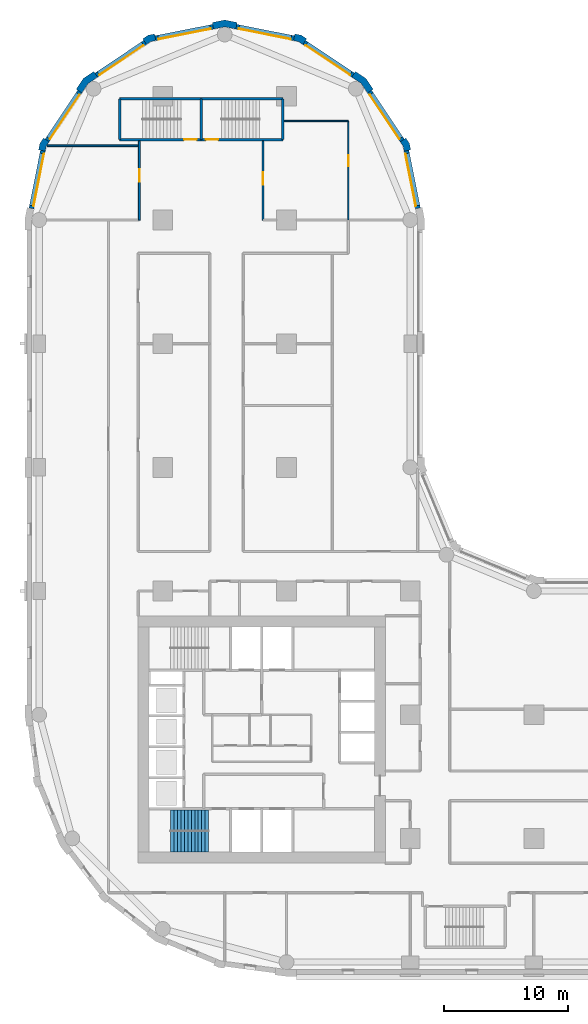
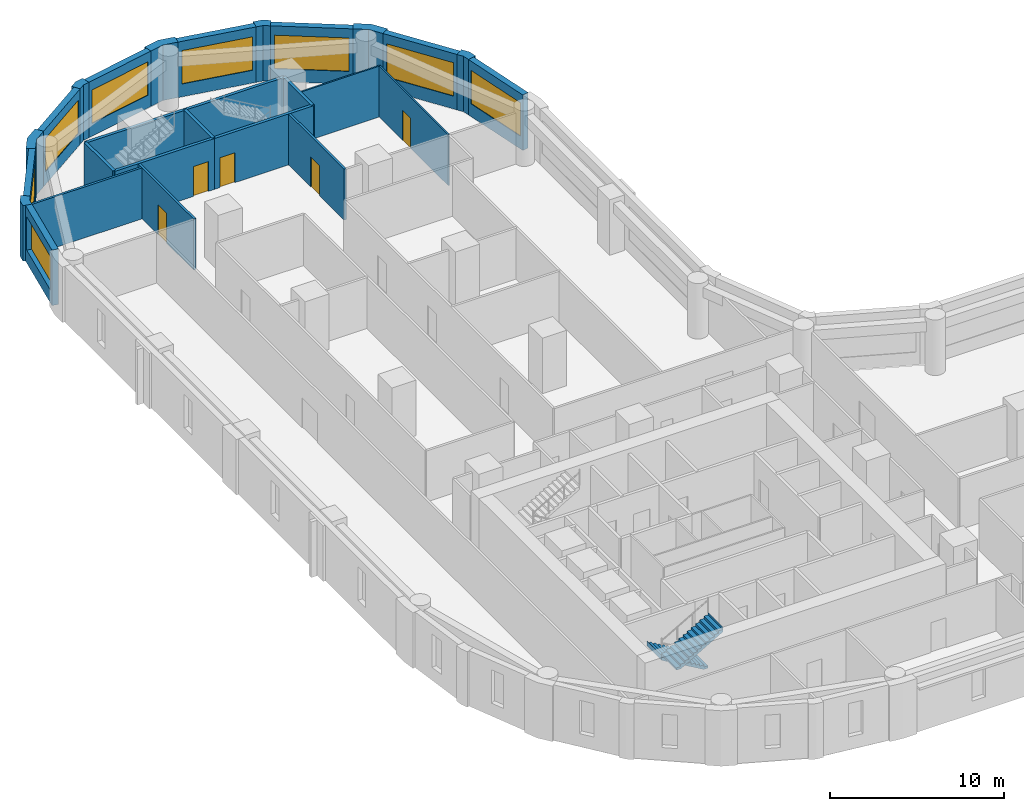
# One storey, part 7 of 10: 27 walls, 8 windows, 5 doors, 2 stair flights, 13 openings, 1 element without a shape of its own.
"""IFC4 building model written with IfcOpenShell, lengths in metres."""

from ifc_helpers import new_model, si_unit, direction, frame, frame_2d, origin, place, context, subcontext, project, spatial, polyline, rectangle, outline, extrude, material, layer, layer_set, type_object, element, fill, aggregate, save


model = new_model("IFC4")

# Units and contexts
model_context = context("Model", 3, precision=1e-05, world=origin(), true_north=direction((0.0, 1.0)))
body_context = subcontext(model_context, "Body", "Model", "MODEL_VIEW")
ifc_project = project(units=[si_unit("LENGTHUNIT", "METRE"), si_unit("AREAUNIT", "SQUARE_METRE"), si_unit("VOLUMEUNIT", "CUBIC_METRE"), si_unit("PLANEANGLEUNIT", "RADIAN"), si_unit("MASSUNIT", "GRAM", prefix="KILO")], contexts=[model_context])

# Site, building, storey
site_placement = place(None, origin())
site = spatial("IfcSite", under=ifc_project, at=site_placement, CompositionType="ELEMENT")
building_placement = place(site_placement, origin())
building = spatial("IfcBuilding", under=site, at=building_placement, Name="Qaws Garden Tower", CompositionType="ELEMENT")
storey_placement = place(building_placement, frame((0.0, 0.0, 105.60009765625)))
storey = spatial("IfcBuildingStorey", under=building, at=storey_placement, Name="L26", CompositionType="ELEMENT", Elevation=105.60009765625)

# Wall, opening, window
ifc_material_1 = material(Name="Clay facing brick masonry", Category="masonry")
ifc_layer_1 = layer(ifc_material_1, 0.39990234375)
ifc_layer_set_1 = layer_set([ifc_layer_1], Name="Clay facing brick masonry")
wall_type_1 = type_object("IfcWallType", Name="Brick infill wall 400", PredefinedType="SOLIDWALL", material=ifc_layer_set_1)
wall_1_placement = place(storey_placement, frame((30.628662109375, 60.940673828125, 0.0), z_axis=(0.0, 0.0, 1.0), x_axis=(-0.195098533057, 0.98078364709, 0.0)))
wall_1 = element("IfcWall", 1, at=wall_1_placement, inside=storey, type_object=wall_type_1, Name="E-L26-infill-15", PredefinedType="SOLIDWALL", context=body_context, shape_type="SweptSolid", body=[
    extrude(rectangle(XDim=4.752685546875, YDim=0.39990234375, at=frame_2d((2.37646484375, 0.0))), origin(), (0.0, 0.0, 1.0), 3.89990234375),
])
opening_1_placement = place(wall_1_placement, frame((0.226318359375, 0.0, 0.89990234375)))
opening_1 = element("IfcOpeningElement", 2, at=opening_1_placement, cuts=wall_1, Name="Opening W06", PredefinedType="OPENING", context=body_context, shape_type="SweptSolid", body=[
    extrude(rectangle(XDim=4.300048828125, YDim=2.35009765625, at=frame_2d((2.14990234375, 1.175048828125))), frame((0.0, 0.2099609375, 0.0), z_axis=(0.0, -1.0, 0.0), x_axis=(1.0, 0.0, 0.0)), (0.0, 0.0, 1.0), 0.419921875),
])
ifc_material_2 = material(Name="Aluminium framed window, clear glazing", Category="aluminium")
window_type = type_object("IfcWindowType", Name="Ribbon window 4300 x 2350", PartitioningType="DOUBLE_PANEL_VERTICAL", PredefinedType="WINDOW", material=ifc_material_2)
window_1_placement = place(opening_1_placement, origin())
window_1 = element("IfcWindow", 3, at=window_1_placement, inside=storey, type_object=window_type, Name="E-L26-window-15-0", OverallHeight=2.35009765625, OverallWidth=4.300048828125, PartitioningType="SINGLE_PANEL", PredefinedType="WINDOW", context=body_context, shape_type="SweptSolid", body=[
    extrude(rectangle(XDim=4.300048828125, YDim=2.35009765625, at=frame_2d((2.14990234375, 1.175048828125))), frame((0.0, 0.159912109375, 0.0), z_axis=(0.0, -1.0, 0.0), x_axis=(1.0, 0.0, 0.0)), (0.0, 0.0, 1.0), 0.06005859375),
])
fill(opening_1, window_1)

wall_2_placement = place(storey_placement, frame((29.356689453125, 66.43408203125, 0.0), z_axis=(0.0, 0.0, 1.0), x_axis=(-0.555541552266, 0.831488775454, 0.0)))
wall_2 = element("IfcWall", 4, at=wall_2_placement, inside=storey, type_object=wall_type_1, Name="E-L26-infill-16", PredefinedType="SOLIDWALL", context=body_context, shape_type="SweptSolid", body=[
    extrude(rectangle(XDim=4.752685546875, YDim=0.39990234375, at=frame_2d((2.37646484375, 0.0))), origin(), (0.0, 0.0, 1.0), 3.89990234375),
])
opening_2_placement = place(wall_2_placement, frame((0.226318359375, 0.0, 0.89990234375)))
opening_2 = element("IfcOpeningElement", 5, at=opening_2_placement, cuts=wall_2, Name="Opening W06", PredefinedType="OPENING", context=body_context, shape_type="SweptSolid", body=[
    extrude(rectangle(XDim=4.300048828125, YDim=2.35009765625, at=frame_2d((2.14990234375, 1.175048828125))), frame((0.0, 0.2099609375, 0.0), z_axis=(0.0, -1.0, 0.0), x_axis=(1.0, 0.0, 0.0)), (0.0, 0.0, 1.0), 0.419921875),
])
window_2_placement = place(opening_2_placement, origin())
window_2 = element("IfcWindow", 6, at=window_2_placement, inside=storey, type_object=window_type, Name="E-L26-window-16-0", OverallHeight=2.35009765625, OverallWidth=4.300048828125, PartitioningType="SINGLE_PANEL", PredefinedType="WINDOW", context=body_context, shape_type="SweptSolid", body=[
    extrude(rectangle(XDim=4.300048828125, YDim=2.35009765625, at=frame_2d((2.14990234375, 1.175048828125))), frame((0.0, 0.159912109375, 0.0), z_axis=(0.0, -1.0, 0.0), x_axis=(1.0, 0.0, 0.0)), (0.0, 0.0, 1.0), 0.06005859375),
])
fill(opening_2, window_2)

wall_3_placement = place(storey_placement, frame((25.385986328125, 71.71630859375, 0.0), z_axis=(0.0, 0.0, 1.0), x_axis=(-0.831488775454, 0.555541552266, 0.0)))
wall_3 = element("IfcWall", 7, at=wall_3_placement, inside=storey, type_object=wall_type_1, Name="E-L26-infill-17", PredefinedType="SOLIDWALL", context=body_context, shape_type="SweptSolid", body=[
    extrude(rectangle(XDim=4.752685546875, YDim=0.39990234375, at=frame_2d((2.37646484375, 0.0))), origin(), (0.0, 0.0, 1.0), 3.89990234375),
])
opening_3_placement = place(wall_3_placement, frame((0.226318359375, 0.0, 0.89990234375)))
opening_3 = element("IfcOpeningElement", 8, at=opening_3_placement, cuts=wall_3, Name="Opening W06", PredefinedType="OPENING", context=body_context, shape_type="SweptSolid", body=[
    extrude(rectangle(XDim=4.300048828125, YDim=2.35009765625, at=frame_2d((2.14990234375, 1.175048828125))), frame((0.0, 0.2099609375, 0.0), z_axis=(0.0, -1.0, 0.0), x_axis=(1.0, 0.0, 0.0)), (0.0, 0.0, 1.0), 0.419921875),
])
window_3_placement = place(opening_3_placement, origin())
window_3 = element("IfcWindow", 9, at=window_3_placement, inside=storey, type_object=window_type, Name="E-L26-window-17-0", OverallHeight=2.35009765625, OverallWidth=4.300048828125, PartitioningType="SINGLE_PANEL", PredefinedType="WINDOW", context=body_context, shape_type="SweptSolid", body=[
    extrude(rectangle(XDim=4.300048828125, YDim=2.35009765625, at=frame_2d((2.14990234375, 1.175048828125))), frame((0.0, 0.159912109375, 0.0), z_axis=(0.0, -1.0, 0.0), x_axis=(1.0, 0.0, 0.0)), (0.0, 0.0, 1.0), 0.06005859375),
])
fill(opening_3, window_3)

wall_4_placement = place(storey_placement, frame((20.60205078125, 74.701416015625, 0.0), z_axis=(0.0, 0.0, 1.0), x_axis=(-0.98078364709, 0.195098533057, 0.0)))
wall_4 = element("IfcWall", 10, at=wall_4_placement, inside=storey, type_object=wall_type_1, Name="E-L26-infill-18", PredefinedType="SOLIDWALL", context=body_context, shape_type="SweptSolid", body=[
    extrude(rectangle(XDim=4.752685546875, YDim=0.39990234375, at=frame_2d((2.37646484375, 0.0))), origin(), (0.0, 0.0, 1.0), 3.89990234375),
])
opening_4_placement = place(wall_4_placement, frame((0.226318359375, 0.0, 0.89990234375)))
opening_4 = element("IfcOpeningElement", 11, at=opening_4_placement, cuts=wall_4, Name="Opening W06", PredefinedType="OPENING", context=body_context, shape_type="SweptSolid", body=[
    extrude(rectangle(XDim=4.300048828125, YDim=2.35009765625, at=frame_2d((2.14990234375, 1.175048828125))), frame((0.0, 0.2099609375, 0.0), z_axis=(0.0, -1.0, 0.0), x_axis=(1.0, 0.0, 0.0)), (0.0, 0.0, 1.0), 0.419921875),
])
window_4_placement = place(opening_4_placement, origin())
window_4 = element("IfcWindow", 12, at=window_4_placement, inside=storey, type_object=window_type, Name="E-L26-window-18-0", OverallHeight=2.35009765625, OverallWidth=4.300048828125, PartitioningType="SINGLE_PANEL", PredefinedType="WINDOW", context=body_context, shape_type="SweptSolid", body=[
    extrude(rectangle(XDim=4.300048828125, YDim=2.35009765625, at=frame_2d((2.14990234375, 1.175048828125))), frame((0.0, 0.159912109375, 0.0), z_axis=(0.0, -1.0, 0.0), x_axis=(1.0, 0.0, 0.0)), (0.0, 0.0, 1.0), 0.06005859375),
])
fill(opening_4, window_4)

wall_5_placement = place(storey_placement, frame((14.059326171875, 75.628662109375, 0.0), z_axis=(0.0, 0.0, 1.0), x_axis=(-0.98078364709, -0.195098533057, 0.0)))
wall_5 = element("IfcWall", 13, at=wall_5_placement, inside=storey, type_object=wall_type_1, Name="E-L26-infill-19", PredefinedType="SOLIDWALL", context=body_context, shape_type="SweptSolid", body=[
    extrude(rectangle(XDim=4.752685546875, YDim=0.39990234375, at=frame_2d((2.37646484375, 0.0))), origin(), (0.0, 0.0, 1.0), 3.89990234375),
])
opening_5_placement = place(wall_5_placement, frame((0.226318359375, 0.0, 0.89990234375)))
opening_5 = element("IfcOpeningElement", 14, at=opening_5_placement, cuts=wall_5, Name="Opening W06", PredefinedType="OPENING", context=body_context, shape_type="SweptSolid", body=[
    extrude(rectangle(XDim=4.300048828125, YDim=2.35009765625, at=frame_2d((2.14990234375, 1.175048828125))), frame((0.0, 0.2099609375, 0.0), z_axis=(0.0, -1.0, 0.0), x_axis=(1.0, 0.0, 0.0)), (0.0, 0.0, 1.0), 0.419921875),
])
window_5_placement = place(opening_5_placement, origin())
window_5 = element("IfcWindow", 15, at=window_5_placement, inside=storey, type_object=window_type, Name="E-L26-window-19-0", OverallHeight=2.35009765625, OverallWidth=4.300048828125, PartitioningType="SINGLE_PANEL", PredefinedType="WINDOW", context=body_context, shape_type="SweptSolid", body=[
    extrude(rectangle(XDim=4.300048828125, YDim=2.35009765625, at=frame_2d((2.14990234375, 1.175048828125))), frame((0.0, 0.159912109375, 0.0), z_axis=(0.0, -1.0, 0.0), x_axis=(1.0, 0.0, 0.0)), (0.0, 0.0, 1.0), 0.06005859375),
])
fill(opening_5, window_5)

wall_6_placement = place(storey_placement, frame((8.56591796875, 74.356689453125, 0.0), z_axis=(0.0, 0.0, 1.0), x_axis=(-0.831488775454, -0.555541552266, 0.0)))
wall_6 = element("IfcWall", 16, at=wall_6_placement, inside=storey, type_object=wall_type_1, Name="E-L26-infill-20", PredefinedType="SOLIDWALL", context=body_context, shape_type="SweptSolid", body=[
    extrude(rectangle(XDim=4.752685546875, YDim=0.39990234375, at=frame_2d((2.37646484375, 0.0))), origin(), (0.0, 0.0, 1.0), 3.89990234375),
])
opening_6_placement = place(wall_6_placement, frame((0.226318359375, 0.0, 0.89990234375)))
opening_6 = element("IfcOpeningElement", 17, at=opening_6_placement, cuts=wall_6, Name="Opening W06", PredefinedType="OPENING", context=body_context, shape_type="SweptSolid", body=[
    extrude(rectangle(XDim=4.300048828125, YDim=2.35009765625, at=frame_2d((2.14990234375, 1.175048828125))), frame((0.0, 0.2099609375, 0.0), z_axis=(0.0, -1.0, 0.0), x_axis=(1.0, 0.0, 0.0)), (0.0, 0.0, 1.0), 0.419921875),
])
window_6_placement = place(opening_6_placement, origin())
window_6 = element("IfcWindow", 18, at=window_6_placement, inside=storey, type_object=window_type, Name="E-L26-window-20-0", OverallHeight=2.35009765625, OverallWidth=4.300048828125, PartitioningType="SINGLE_PANEL", PredefinedType="WINDOW", context=body_context, shape_type="SweptSolid", body=[
    extrude(rectangle(XDim=4.300048828125, YDim=2.35009765625, at=frame_2d((2.14990234375, 1.175048828125))), frame((0.0, 0.159912109375, 0.0), z_axis=(0.0, -1.0, 0.0), x_axis=(1.0, 0.0, 0.0)), (0.0, 0.0, 1.0), 0.06005859375),
])
fill(opening_6, window_6)

wall_7_placement = place(storey_placement, frame((3.28369140625, 70.385986328125, 0.0), z_axis=(0.0, 0.0, 1.0), x_axis=(-0.555541552266, -0.831488775454, 0.0)))
wall_7 = element("IfcWall", 19, at=wall_7_placement, inside=storey, type_object=wall_type_1, Name="E-L26-infill-21", PredefinedType="SOLIDWALL", context=body_context, shape_type="SweptSolid", body=[
    extrude(rectangle(XDim=4.752685546875, YDim=0.39990234375, at=frame_2d((2.37646484375, 0.0))), origin(), (0.0, 0.0, 1.0), 3.89990234375),
])
opening_7_placement = place(wall_7_placement, frame((0.226318359375, 0.0, 0.89990234375)))
opening_7 = element("IfcOpeningElement", 20, at=opening_7_placement, cuts=wall_7, Name="Opening W06", PredefinedType="OPENING", context=body_context, shape_type="SweptSolid", body=[
    extrude(rectangle(XDim=4.300048828125, YDim=2.35009765625, at=frame_2d((2.14990234375, 1.175048828125))), frame((0.0, 0.2099609375, 0.0), z_axis=(0.0, -1.0, 0.0), x_axis=(1.0, 0.0, 0.0)), (0.0, 0.0, 1.0), 0.419921875),
])
window_7_placement = place(opening_7_placement, origin())
window_7 = element("IfcWindow", 21, at=window_7_placement, inside=storey, type_object=window_type, Name="E-L26-window-21-0", OverallHeight=2.35009765625, OverallWidth=4.300048828125, PartitioningType="SINGLE_PANEL", PredefinedType="WINDOW", context=body_context, shape_type="SweptSolid", body=[
    extrude(rectangle(XDim=4.300048828125, YDim=2.35009765625, at=frame_2d((2.14990234375, 1.175048828125))), frame((0.0, 0.159912109375, 0.0), z_axis=(0.0, -1.0, 0.0), x_axis=(1.0, 0.0, 0.0)), (0.0, 0.0, 1.0), 0.06005859375),
])
fill(opening_7, window_7)

wall_8_placement = place(storey_placement, frame((0.298583984375, 65.60205078125, 0.0), z_axis=(0.0, 0.0, 1.0), x_axis=(-0.195098533057, -0.98078364709, 0.0)))
wall_8 = element("IfcWall", 22, at=wall_8_placement, inside=storey, type_object=wall_type_1, Name="E-L26-infill-22", PredefinedType="SOLIDWALL", context=body_context, shape_type="SweptSolid", body=[
    extrude(rectangle(XDim=4.752685546875, YDim=0.39990234375, at=frame_2d((2.37646484375, 0.0))), origin(), (0.0, 0.0, 1.0), 3.89990234375),
])
opening_8_placement = place(wall_8_placement, frame((0.226318359375, 0.0, 0.89990234375)))
opening_8 = element("IfcOpeningElement", 23, at=opening_8_placement, cuts=wall_8, Name="Opening W06", PredefinedType="OPENING", context=body_context, shape_type="SweptSolid", body=[
    extrude(rectangle(XDim=4.300048828125, YDim=2.35009765625, at=frame_2d((2.14990234375, 1.175048828125))), frame((0.0, 0.2099609375, 0.0), z_axis=(0.0, -1.0, 0.0), x_axis=(1.0, 0.0, 0.0)), (0.0, 0.0, 1.0), 0.419921875),
])
window_8_placement = place(opening_8_placement, origin())
window_8 = element("IfcWindow", 24, at=window_8_placement, inside=storey, type_object=window_type, Name="E-L26-window-22-0", OverallHeight=2.35009765625, OverallWidth=4.300048828125, PartitioningType="SINGLE_PANEL", PredefinedType="WINDOW", context=body_context, shape_type="SweptSolid", body=[
    extrude(rectangle(XDim=4.300048828125, YDim=2.35009765625, at=frame_2d((2.14990234375, 1.175048828125))), frame((0.0, 0.159912109375, 0.0), z_axis=(0.0, -1.0, 0.0), x_axis=(1.0, 0.0, 0.0)), (0.0, 0.0, 1.0), 0.06005859375),
])
fill(opening_8, window_8)

# Walls
ifc_material_3 = material(Name="Clay facing brick masonry", Category="masonry")
ifc_layer_2 = layer(ifc_material_3, 0.550048828125)
ifc_layer_set_2 = layer_set([ifc_layer_2], Name="Clay facing brick masonry")
wall_type_2 = type_object("IfcWallType", Name="Brick kink pier 550 x 600", PredefinedType="SOLIDWALL", material=ifc_layer_set_2)
placement = place(storey_placement, origin())
element("IfcWall", 25, at=placement, inside=storey, type_object=wall_type_2, Name="E-L26-pier-16", PredefinedType="SOLIDWALL", context=body_context, shape_type="SweptSolid", body=[
    extrude(outline(polyline([(29.8974609375, 65.64111328125), (30.044677734375, 65.67041015625), (29.94140625, 66.18896484375), (29.647705078125, 66.628662109375), (29.52294921875, 66.545166015625), (29.1904296875, 66.322998046875), (29.42333984375, 65.974365234375), (29.505126953125, 65.56298828125), (29.8974609375, 65.64111328125)])), origin(), (0.0, 0.0, 1.0), 3.89990234375),
])
element("IfcWall", 26, at=placement, inside=storey, type_object=wall_type_2, Name="E-L26-pier-18", PredefinedType="SOLIDWALL", context=body_context, shape_type="SweptSolid", body=[
    extrude(outline(polyline([(21.545166015625, 74.52294921875), (21.628662109375, 74.647705078125), (21.18896484375, 74.94140625), (20.67041015625, 75.044677734375), (20.64111328125, 74.8974609375), (20.56298828125, 74.505126953125), (20.974365234375, 74.42333984375), (21.322998046875, 74.1904296875), (21.545166015625, 74.52294921875)])), origin(), (0.0, 0.0, 1.0), 3.89990234375),
])
element("IfcWall", 27, at=placement, inside=storey, type_object=wall_type_2, Name="E-L26-pier-20", PredefinedType="SOLIDWALL", context=body_context, shape_type="SweptSolid", body=[
    extrude(outline(polyline([(9.35888671875, 74.8974609375), (9.32958984375, 75.044677734375), (8.81103515625, 74.94140625), (8.371337890625, 74.647705078125), (8.454833984375, 74.52294921875), (8.677001953125, 74.1904296875), (9.025634765625, 74.42333984375), (9.43701171875, 74.505126953125), (9.35888671875, 74.8974609375)])), origin(), (0.0, 0.0, 1.0), 3.89990234375),
])
element("IfcWall", 28, at=placement, inside=storey, type_object=wall_type_2, Name="E-L26-pier-22", PredefinedType="SOLIDWALL", context=body_context, shape_type="SweptSolid", body=[
    extrude(outline(polyline([(0.47705078125, 66.545166015625), (0.352294921875, 66.628662109375), (0.05859375, 66.18896484375), (-0.044677734375, 65.67041015625), (0.1025390625, 65.64111328125), (0.494873046875, 65.56298828125), (0.57666015625, 65.974365234375), (0.8095703125, 66.322998046875), (0.47705078125, 66.545166015625)])), origin(), (0.0, 0.0, 1.0), 3.89990234375),
])
ifc_material_4 = material(Name="Clay facing brick masonry", Category="masonry")
ifc_layer_3 = layer(ifc_material_4, 0.550048828125)
ifc_layer_set_3 = layer_set([ifc_layer_3], Name="Clay facing brick masonry")
wall_type_3 = type_object("IfcWallType", Name="Brick pier 550 x 1600", PredefinedType="SOLIDWALL", material=ifc_layer_set_3)
element("IfcWall", 29, at=placement, inside=storey, type_object=wall_type_3, Name="E-L26-pier-17", PredefinedType="SOLIDWALL", context=body_context, shape_type="SweptSolid", body=[
    extrude(outline(polyline([(26.882568359375, 70.4970703125), (27.00732421875, 70.580322265625), (26.435791015625, 71.435791015625), (25.580322265625, 72.00732421875), (25.4970703125, 71.882568359375), (25.274658203125, 71.550048828125), (26.0390625, 71.0390625), (26.550048828125, 70.274658203125), (26.882568359375, 70.4970703125)])), origin(), (0.0, 0.0, 1.0), 3.89990234375),
])
element("IfcWall", 30, at=placement, inside=storey, type_object=wall_type_3, Name="E-L26-pier-19", PredefinedType="SOLIDWALL", context=body_context, shape_type="SweptSolid", body=[
    extrude(outline(polyline([(15.979736328125, 75.82470703125), (16.009033203125, 75.971923828125), (15.0, 76.172607421875), (13.990966796875, 75.971923828125), (14.020263671875, 75.82470703125), (14.098388671875, 75.432373046875), (15.0, 75.61181640625), (15.901611328125, 75.432373046875), (15.979736328125, 75.82470703125)])), origin(), (0.0, 0.0, 1.0), 3.89990234375),
])
element("IfcWall", 31, at=placement, inside=storey, type_object=wall_type_3, Name="E-L26-pier-21", PredefinedType="SOLIDWALL", context=body_context, shape_type="SweptSolid", body=[
    extrude(outline(polyline([(4.5029296875, 71.882568359375), (4.419677734375, 72.00732421875), (3.564208984375, 71.435791015625), (2.99267578125, 70.580322265625), (3.117431640625, 70.4970703125), (3.449951171875, 70.274658203125), (3.9609375, 71.0390625), (4.725341796875, 71.550048828125), (4.5029296875, 71.882568359375)])), origin(), (0.0, 0.0, 1.0), 3.89990234375),
])

# Wall, opening, door
ifc_material_5 = material(Name="Concrete C80", Category="concrete")
ifc_layer_4 = layer(ifc_material_5, 0.199951171875)
ifc_layer_set_4 = layer_set([ifc_layer_4], Name="Concrete C80")
wall_type_4 = type_object("IfcWallType", Name="Core shaft wall 200 C80", PredefinedType="SHEAR", material=ifc_layer_set_4)
wall_16_placement = place(storey_placement, frame((6.5, 66.5, 0.0), z_axis=(0.0, 0.0, 1.0), x_axis=(1.0, 0.0, 0.0)))
wall_16 = element("IfcWall", 32, at=wall_16_placement, inside=storey, type_object=wall_type_4, Name="Shaft wall", PredefinedType="SHEAR", context=body_context, shape_type="SweptSolid", body=[
    extrude(rectangle(XDim=6.60009765625, YDim=0.199951171875, at=frame_2d((3.300048828125, 0.0))), origin(), (0.0, 0.0, 1.0), 3.579833984375),
])
opening_9_placement = place(wall_16_placement, frame((5.22509765625, 0.0, 0.0)))
opening_9 = element("IfcOpeningElement", 33, at=opening_9_placement, cuts=wall_16, Name="Opening SD13", PredefinedType="OPENING", context=body_context, shape_type="SweptSolid", body=[
    extrude(rectangle(XDim=1.0, YDim=2.10009765625, at=frame_2d((0.5, 1.050048828125))), frame((0.0, 0.10986328125, 0.0), z_axis=(0.0, -1.0, 0.0), x_axis=(1.0, 0.0, 0.0)), (0.0, 0.0, 1.0), 0.219970703125),
])
ifc_material_6 = material(Name="Steel S235", Category="steel")
door_type_1 = type_object("IfcDoorType", Name="Stair door 1000x2100", OperationType="SINGLE_SWING_RIGHT", PredefinedType="DOOR", material=ifc_material_6)
door_1_placement = place(opening_9_placement, origin())
door_1 = element("IfcDoor", 34, at=door_1_placement, inside=storey, type_object=door_type_1, Name="Stair 6 door", OperationType="SINGLE_SWING_RIGHT", OverallHeight=2.10009765625, OverallWidth=1.0, PredefinedType="DOOR", context=body_context, shape_type="SweptSolid", body=[
    extrude(rectangle(XDim=1.0, YDim=2.10009765625, at=frame_2d((0.5, 1.050048828125))), frame((0.0, 0.02490234375, 0.0), z_axis=(0.0, -1.0, 0.0), x_axis=(1.0, 0.0, 0.0)), (0.0, 0.0, 1.0), 0.050048828125),
])
fill(opening_9, door_1)

wall_17_placement = place(storey_placement, frame((13.10009765625, 66.5, 0.0), z_axis=(0.0, 0.0, 1.0), x_axis=(1.0, 0.0, 0.0)))
wall_17 = element("IfcWall", 35, at=wall_17_placement, inside=storey, type_object=wall_type_4, Name="Shaft wall", PredefinedType="SHEAR", context=body_context, shape_type="SweptSolid", body=[
    extrude(rectangle(XDim=6.599853515625, YDim=0.199951171875, at=frame_2d((3.2998046875, 0.0))), origin(), (0.0, 0.0, 1.0), 3.579833984375),
])
opening_10_placement = place(wall_17_placement, frame((0.375, 0.0, 0.0)))
opening_10 = element("IfcOpeningElement", 36, at=opening_10_placement, cuts=wall_17, Name="Opening SD14", PredefinedType="OPENING", context=body_context, shape_type="SweptSolid", body=[
    extrude(rectangle(XDim=1.0, YDim=2.10009765625, at=frame_2d((0.5, 1.050048828125))), frame((0.0, 0.10986328125, 0.0), z_axis=(0.0, -1.0, 0.0), x_axis=(1.0, 0.0, 0.0)), (0.0, 0.0, 1.0), 0.219970703125),
])
door_2_placement = place(opening_10_placement, origin())
door_2 = element("IfcDoor", 37, at=door_2_placement, inside=storey, type_object=door_type_1, Name="Stair 7 door", OperationType="SINGLE_SWING_LEFT", OverallHeight=2.10009765625, OverallWidth=1.0, PredefinedType="DOOR", context=body_context, shape_type="SweptSolid", body=[
    extrude(rectangle(XDim=1.0, YDim=2.10009765625, at=frame_2d((0.5, 1.050048828125))), frame((0.0, 0.02490234375, 0.0), z_axis=(0.0, -1.0, 0.0), x_axis=(1.0, 0.0, 0.0)), (0.0, 0.0, 1.0), 0.050048828125),
])
fill(opening_10, door_2)

# Walls
wall_18_placement = place(storey_placement, frame((6.5, 69.800048828125, 0.0), z_axis=(0.0, 0.0, 1.0), x_axis=(1.0, 0.0, 0.0)))
element("IfcWall", 38, at=wall_18_placement, inside=storey, type_object=wall_type_4, Name="Shaft wall", PredefinedType="SHEAR", context=body_context, shape_type="SweptSolid", body=[
    extrude(rectangle(XDim=6.60009765625, YDim=0.199951171875, at=frame_2d((3.300048828125, 0.0))), origin(), (0.0, 0.0, 1.0), 3.579833984375),
])
wall_19_placement = place(storey_placement, frame((13.10009765625, 69.800048828125, 0.0), z_axis=(0.0, 0.0, 1.0), x_axis=(1.0, 0.0, 0.0)))
element("IfcWall", 39, at=wall_19_placement, inside=storey, type_object=wall_type_4, Name="Shaft wall", PredefinedType="SHEAR", context=body_context, shape_type="SweptSolid", body=[
    extrude(rectangle(XDim=6.599853515625, YDim=0.199951171875, at=frame_2d((3.2998046875, 0.0))), origin(), (0.0, 0.0, 1.0), 3.579833984375),
])
for number, where, z_axis, x_axis, name in (
    (40, (6.5, 66.5, 0.0), (0.0, 0.0, 1.0), (0.0, 1.0, 0.0), "Shaft wall"),
    (41, (13.10009765625, 66.5, 0.0), (0.0, 0.0, 1.0), (0.0, 1.0, 0.0), "Shaft wall"),
    (42, (19.699951171875, 66.5, 0.0), (0.0, 0.0, 1.0), (0.0, 1.0, 0.0), "Shaft wall"),
):
    element("IfcWall", number, at=place(storey_placement, frame(where, z_axis=z_axis, x_axis=x_axis)), inside=storey, type_object=wall_type_4, Name=name, PredefinedType="SHEAR", context=body_context, shape_type="SweptSolid", body=[
        extrude(rectangle(XDim=3.300048828125, YDim=0.199951171875, at=frame_2d((1.64990234375, 0.0))), origin(), (0.0, 0.0, 1.0), 3.579833984375),
    ])

# Wall, opening, door
ifc_material_7 = material(Name="Gypsum board partition")
ifc_layer_5 = layer(ifc_material_7, 0.10009765625)
ifc_layer_set_5 = layer_set([ifc_layer_5], Name="Gypsum board partition")
wall_type_5 = type_object("IfcWallType", Name="PARTITION 100", PredefinedType="PARTITIONING", material=ifc_layer_set_5)
wall_20_placement = place(storey_placement, frame((25.0, 60.0, 0.0), z_axis=(0.0, 0.0, 1.0), x_axis=(0.0, 1.0, 0.0)))
wall_20 = element("IfcWall", 43, at=wall_20_placement, inside=storey, type_object=wall_type_5, Name="O-L26-wall-001", PredefinedType="PARTITIONING", context=body_context, shape_type="SweptSolid", body=[
    extrude(rectangle(XDim=8.0, YDim=0.10009765625, at=frame_2d((4.0, 0.0))), origin(), (0.0, 0.0, 1.0), 3.579833984375),
])
opening_11_placement = place(wall_20_placement, frame((4.35009765625, 0.0, 0.0)))
opening_11 = element("IfcOpeningElement", 44, at=opening_11_placement, cuts=wall_20, Name="Opening A928", PredefinedType="OPENING", context=body_context, shape_type="SweptSolid", body=[
    extrude(rectangle(XDim=0.89990234375, YDim=2.10009765625, at=frame_2d((0.449951171875, 1.050048828125))), frame((0.0, 0.06005859375, 0.0), z_axis=(0.0, -1.0, 0.0), x_axis=(1.0, 0.0, 0.0)), (0.0, 0.0, 1.0), 0.1201171875),
])
ifc_material_8 = material(Name="Timber door leaf", Category="wood")
door_type_2 = type_object("IfcDoorType", Name="OFFICE DOOR 900 X 2100", OperationType="SINGLE_SWING_LEFT", PredefinedType="DOOR", material=ifc_material_8)
door_3_placement = place(opening_11_placement, origin())
door_3 = element("IfcDoor", 45, at=door_3_placement, inside=storey, type_object=door_type_2, Name="O-L26-door-028", OperationType="SINGLE_SWING_LEFT", OverallHeight=2.10009765625, OverallWidth=0.89990234375, PredefinedType="DOOR", context=body_context, shape_type="SweptSolid", body=[
    extrude(rectangle(XDim=0.89990234375, YDim=2.10009765625, at=frame_2d((0.449951171875, 1.050048828125))), frame((0.0, 0.02490234375, 0.0), z_axis=(0.0, -1.0, 0.0), x_axis=(1.0, 0.0, 0.0)), (0.0, 0.0, 1.0), 0.050048828125),
])
fill(opening_11, door_3)

# Wall
wall_21_placement = place(storey_placement, frame((19.800048828125, 68.0, 0.0), z_axis=(0.0, 0.0, 1.0), x_axis=(1.0, 0.0, 0.0)))
element("IfcWall", 46, at=wall_21_placement, inside=storey, type_object=wall_type_5, Name="O-L26-wall-004", PredefinedType="PARTITIONING", context=body_context, shape_type="SweptSolid", body=[
    extrude(rectangle(XDim=5.199951171875, YDim=0.10009765625, at=frame_2d((2.60009765625, 0.0))), origin(), (0.0, 0.0, 1.0), 3.579833984375),
])

# Wall, opening, door
ifc_material_9 = material(Name="Gypsum board partition")
ifc_layer_6 = layer(ifc_material_9, 0.14990234375)
ifc_layer_set_6 = layer_set([ifc_layer_6], Name="Gypsum board partition")
wall_type_6 = type_object("IfcWallType", Name="PARTITION 150 EI 60", PredefinedType="PARTITIONING", material=ifc_layer_set_6)
wall_22_placement = place(storey_placement, frame((8.10009765625, 60.0, 0.0), z_axis=(0.0, 0.0, 1.0), x_axis=(0.0, 1.0, 0.0)))
wall_22 = element("IfcWall", 47, at=wall_22_placement, inside=storey, type_object=wall_type_6, Name="O-L26-wall-008", PredefinedType="PARTITIONING", context=body_context, shape_type="SweptSolid", body=[
    extrude(rectangle(XDim=6.39990234375, YDim=0.14990234375, at=frame_2d((3.199951171875, 0.0))), origin(), (0.0, 0.0, 1.0), 3.579833984375),
])
opening_12_placement = place(wall_22_placement, frame((3.10009765625, 0.0, 0.0)))
opening_12 = element("IfcOpeningElement", 48, at=opening_12_placement, cuts=wall_22, Name="Opening A917", PredefinedType="OPENING", context=body_context, shape_type="SweptSolid", body=[
    extrude(rectangle(XDim=1.0, YDim=2.10009765625, at=frame_2d((0.5, 1.050048828125))), frame((0.0, 0.0849609375, 0.0), z_axis=(0.0, -1.0, 0.0), x_axis=(1.0, 0.0, 0.0)), (0.0, 0.0, 1.0), 0.169921875),
])
ifc_material_10 = material(Name="Timber door leaf", Category="wood")
door_type_3 = type_object("IfcDoorType", Name="TENANCY ENTRANCE DOOR 1000 X 2100", OperationType="SINGLE_SWING_LEFT", PredefinedType="DOOR", material=ifc_material_10)
door_4_placement = place(opening_12_placement, origin())
door_4 = element("IfcDoor", 49, at=door_4_placement, inside=storey, type_object=door_type_3, Name="O-L26-door-017", OperationType="SINGLE_SWING_LEFT", OverallHeight=2.10009765625, OverallWidth=1.0, PredefinedType="DOOR", context=body_context, shape_type="SweptSolid", body=[
    extrude(rectangle(XDim=1.0, YDim=2.10009765625, at=frame_2d((0.5, 1.050048828125))), frame((0.0, 0.02490234375, 0.0), z_axis=(0.0, -1.0, 0.0), x_axis=(1.0, 0.0, 0.0)), (0.0, 0.0, 1.0), 0.050048828125),
])
fill(opening_12, door_4)

wall_23_placement = place(storey_placement, frame((18.10009765625, 60.0, 0.0), z_axis=(0.0, 0.0, 1.0), x_axis=(0.0, 1.0, 0.0)))
wall_23 = element("IfcWall", 50, at=wall_23_placement, inside=storey, type_object=wall_type_6, Name="O-L26-wall-014", PredefinedType="PARTITIONING", context=body_context, shape_type="SweptSolid", body=[
    extrude(rectangle(XDim=6.39990234375, YDim=0.14990234375, at=frame_2d((3.199951171875, 0.0))), origin(), (0.0, 0.0, 1.0), 3.579833984375),
])
opening_13_placement = place(wall_23_placement, frame((2.85009765625, 0.0, 0.0)))
opening_13 = element("IfcOpeningElement", 51, at=opening_13_placement, cuts=wall_23, Name="Opening A918", PredefinedType="OPENING", context=body_context, shape_type="SweptSolid", body=[
    extrude(rectangle(XDim=1.0, YDim=2.10009765625, at=frame_2d((0.5, 1.050048828125))), frame((0.0, 0.0849609375, 0.0), z_axis=(0.0, -1.0, 0.0), x_axis=(1.0, 0.0, 0.0)), (0.0, 0.0, 1.0), 0.169921875),
])
door_5_placement = place(opening_13_placement, frame((1.0, 0.0, 0.0), z_axis=(0.0, 0.0, 1.0), x_axis=(-1.0, 0.0, 0.0)))
door_5 = element("IfcDoor", 52, at=door_5_placement, inside=storey, type_object=door_type_3, Name="O-L26-door-018", OperationType="SINGLE_SWING_RIGHT", OverallHeight=2.10009765625, OverallWidth=1.0, PredefinedType="DOOR", context=body_context, shape_type="SweptSolid", body=[
    extrude(rectangle(XDim=1.0, YDim=2.10009765625, at=frame_2d((0.5, 1.050048828125))), frame((0.0, 0.02490234375, 0.0), z_axis=(0.0, -1.0, 0.0), x_axis=(1.0, 0.0, 0.0)), (0.0, 0.0, 1.0), 0.050048828125),
])
fill(opening_13, door_5)

# Wall
wall_24_placement = place(storey_placement, frame((0.643798828125, 66.0, 0.0), z_axis=(0.0, 0.0, 1.0), x_axis=(1.0, 0.0, 0.0)))
element("IfcWall", 53, at=wall_24_placement, inside=storey, type_object=wall_type_6, Name="O-L26-wall-065", PredefinedType="PARTITIONING", context=body_context, shape_type="SweptSolid", body=[
    extrude(rectangle(XDim=7.456298828125, YDim=0.14990234375, at=frame_2d((3.72802734375, 0.0))), origin(), (0.0, 0.0, 1.0), 3.579833984375),
])

# Stair, stair flights
ifc_material_11 = material(Name="Concrete C40", Category="concrete")
stair_type = type_object("IfcStairType", Name="Exit stair 1500", PredefinedType="HALF_TURN_STAIR", material=ifc_material_11)
stair = element("IfcStair", 54, at=placement, inside=storey, type_object=stair_type, Name="Stair 1", PredefinedType="HALF_TURN_STAIR")
ifc_material_12 = material(Name="Concrete C40", Category="concrete")
stair_flight_type = type_object("IfcStairFlightType", Name="Stair flight 1500", PredefinedType="STRAIGHT", material=ifc_material_12)
stair_flight_1_placement = place(storey_placement, frame((13.699951171875, 11.449951171875, 0.0), z_axis=(0.0, 0.0, 1.0), x_axis=(-1.0, 0.0, 0.0)))
stair_flight_1 = element("IfcStairFlight", 55, at=stair_flight_1_placement, type_object=stair_flight_type, Name="ST1 flight 1", NumberOfRisers=12, NumberOfTreads=11, PredefinedType="STRAIGHT", RiserHeight=0.1625, TreadLength=0.28, context=body_context, shape_type="SweptSolid", body=[
    extrude(outline(polyline([(-0.0029296875, 0.0), (-0.0029296875, 0.16259765625), (0.0, 0.16259765625), (0.280029296875, 0.16259765625), (0.280029296875, 0.324951171875), (0.56005859375, 0.324951171875), (0.56005859375, 0.487548828125), (0.840087890625, 0.487548828125), (0.840087890625, 0.64990234375), (1.1201171875, 0.64990234375), (1.1201171875, 0.8125), (1.39990234375, 0.8125), (1.39990234375, 0.97509765625), (1.679931640625, 0.97509765625), (1.679931640625, 1.137451171875), (1.9599609375, 1.137451171875), (1.9599609375, 1.300048828125), (2.239990234375, 1.300048828125), (2.239990234375, 1.46240234375), (2.52001953125, 1.46240234375), (2.52001953125, 1.625), (2.800048828125, 1.625), (2.800048828125, 1.78759765625), (3.080078125, 1.78759765625), (3.080078125, 1.949951171875), (3.0830078125, 1.949951171875), (3.0830078125, 1.6142578125), (3.080078125, 1.6142578125), (0.298583984375, 0.0), (-0.0029296875, 0.0)])), frame((0.0, 0.85009765625, 0.0), z_axis=(0.0, -1.0, 0.0), x_axis=(1.0, 0.0, 0.0)), (0.0, 0.0, 1.0), 1.699951171875),
])
stair_flight_2_placement = place(storey_placement, frame((10.6201171875, 9.75, 1.949951171875), z_axis=(0.0, 0.0, 1.0), x_axis=(1.0, 0.0, 0.0)))
stair_flight_2 = element("IfcStairFlight", 56, at=stair_flight_2_placement, type_object=stair_flight_type, Name="ST1 flight 2", NumberOfRisers=12, NumberOfTreads=11, PredefinedType="STRAIGHT", RiserHeight=0.1625, TreadLength=0.28, context=body_context, shape_type="SweptSolid", body=[
    extrude(outline(polyline([(-0.0029296875, 0.0), (-0.0029296875, 0.16259765625), (0.0, 0.16259765625), (0.280029296875, 0.16259765625), (0.280029296875, 0.324951171875), (0.56005859375, 0.324951171875), (0.56005859375, 0.487548828125), (0.840087890625, 0.487548828125), (0.840087890625, 0.64990234375), (1.1201171875, 0.64990234375), (1.1201171875, 0.8125), (1.39990234375, 0.8125), (1.39990234375, 0.97509765625), (1.679931640625, 0.97509765625), (1.679931640625, 1.137451171875), (1.9599609375, 1.137451171875), (1.9599609375, 1.300048828125), (2.239990234375, 1.300048828125), (2.239990234375, 1.46240234375), (2.52001953125, 1.46240234375), (2.52001953125, 1.625), (2.800048828125, 1.625), (2.800048828125, 1.78759765625), (3.080078125, 1.78759765625), (3.080078125, 1.949951171875), (3.0830078125, 1.949951171875), (3.0830078125, 1.6142578125), (3.080078125, 1.6142578125), (0.298583984375, 0.0), (-0.0029296875, 0.0)])), frame((0.0, 0.85009765625, 0.0), z_axis=(0.0, -1.0, 0.0), x_axis=(1.0, 0.0, 0.0)), (0.0, 0.0, 1.0), 1.699951171875),
])
aggregate(stair, [stair_flight_1, stair_flight_2])

save(model, "model.ifc")
